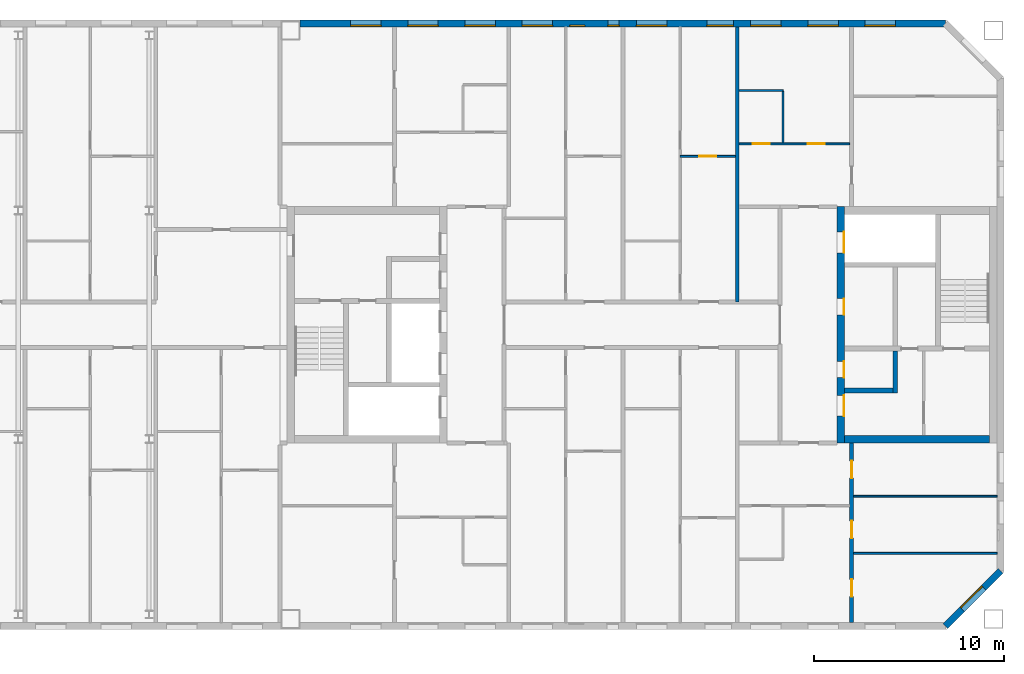
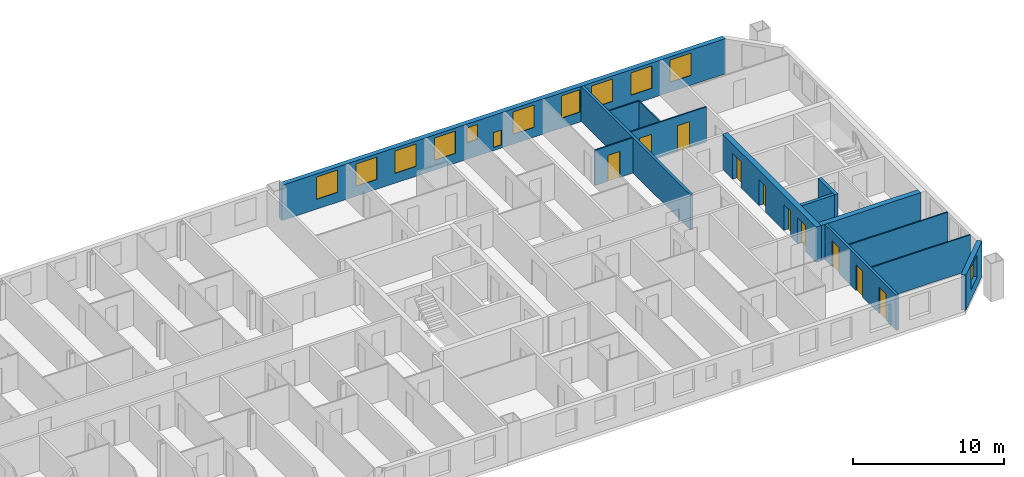
# One storey, part 16 of 19: 14 walls, 12 windows, 10 doors, 22 openings.
"""IFC4 building model written with IfcOpenShell, lengths in metres."""

from ifc_helpers import new_model, si_unit, direction, frame, frame_2d, origin, place, context, subcontext, project, spatial, rectangle, extrude, material, layer, layer_set, type_object, element, fill, save


model = new_model("IFC4")

# Units and contexts
model_context = context("Model", 3, precision=1e-05, world=origin(), true_north=direction((0.0, 1.0)))
body_context = subcontext(model_context, "Body", "Model", "MODEL_VIEW")
ifc_project = project(units=[si_unit("LENGTHUNIT", "METRE"), si_unit("AREAUNIT", "SQUARE_METRE"), si_unit("VOLUMEUNIT", "CUBIC_METRE"), si_unit("PLANEANGLEUNIT", "RADIAN"), si_unit("MASSUNIT", "GRAM", prefix="KILO")], contexts=[model_context])

# Site, building, storey
site_placement = place(None, origin())
site = spatial("IfcSite", under=ifc_project, at=site_placement, CompositionType="ELEMENT")
building_placement = place(site_placement, origin())
building = spatial("IfcBuilding", under=site, at=building_placement, Name="Tuart Gate Housing", CompositionType="ELEMENT")
storey_placement = place(building_placement, frame((0.0, 0.0, 230.699951171875)))
storey = spatial("IfcBuildingStorey", under=building, at=storey_placement, Name="L65", CompositionType="ELEMENT", Elevation=230.699951171875)

# Wall, opening, window
ifc_material_1 = material(Name="Brick", Category="masonry")
ifc_layer_1 = layer(ifc_material_1, 0.360107421875)
ifc_layer_set_1 = layer_set([ifc_layer_1], Name="Brick pier and spandrel wall 360")
wall_type_1 = type_object("IfcWallType", Name="Brick pier and spandrel wall 360", PredefinedType="STANDARD", material=ifc_layer_set_1)
wall_1_placement = place(storey_placement, frame((165.92529296875, 54.179931640625, 0.0), z_axis=(0.0, 0.0, 1.0), x_axis=(0.707106781187, 0.707106781187, 0.0)))
wall_1 = element("IfcWall", 1, at=wall_1_placement, inside=storey, type_object=wall_type_1, Name="External wall BLK-SE L65", PredefinedType="STANDARD", context=body_context, shape_type="SweptSolid", body=[
    extrude(rectangle(XDim=4.09375, YDim=0.360107421875, at=frame_2d((2.046875, 0.0))), origin(), (0.0, 0.0, 1.0), 2.85009765625),
])
opening_1_placement = place(wall_1_placement, frame((1.2470703125, 0.0, 0.800048828125)))
opening_1 = element("IfcOpeningElement", 2, at=opening_1_placement, cuts=wall_1, Name="Opening W1", PredefinedType="OPENING", context=body_context, shape_type="SweptSolid", body=[
    extrude(rectangle(XDim=1.60009765625, YDim=1.800048828125, at=frame_2d((0.800048828125, 0.89990234375))), frame((0.0, 0.18994140625, 0.0), z_axis=(0.0, -1.0, 0.0), x_axis=(1.0, 0.0, 0.0)), (0.0, 0.0, 1.0), 0.380126953125),
])
ifc_material_2 = material(Name="Aluminium frame with clear glass", Category="aluminium")
window_type_1 = type_object("IfcWindowType", Name="Punched window 1600 x 1800", PartitioningType="SINGLE_PANEL", PredefinedType="WINDOW", material=ifc_material_2)
window_1_placement = place(opening_1_placement, origin())
window_1 = element("IfcWindow", 3, at=window_1_placement, inside=storey, type_object=window_type_1, Name="Window W1", OverallHeight=1.800048828125, OverallWidth=1.60009765625, PartitioningType="SINGLE_PANEL", PredefinedType="WINDOW", context=body_context, shape_type="SweptSolid", body=[
    extrude(rectangle(XDim=1.60009765625, YDim=1.800048828125, at=frame_2d((0.800048828125, 0.89990234375))), frame((0.0, 0.150146484375, 0.0), z_axis=(0.0, -1.0, 0.0), x_axis=(1.0, 0.0, 0.0)), (0.0, 0.0, 1.0), 0.06005859375),
])
fill(opening_1, window_1)

# Wall, openings, windows
wall_2_placement = place(storey_placement, frame((165.92529296875, 85.820068359375, 0.0), z_axis=(0.0, 0.0, 1.0), x_axis=(-1.0, 0.0, 0.0)))
wall_2 = element("IfcWall", 4, at=wall_2_placement, inside=storey, type_object=wall_type_1, Name="External wall BLK-N L65", PredefinedType="STANDARD", context=body_context, shape_type="SweptSolid", body=[
    extrude(rectangle(XDim=33.875244140625, YDim=0.360107421875, at=frame_2d((16.9375, 0.0))), origin(), (0.0, 0.0, 1.0), 2.85009765625),
])
opening_2_placement = place(wall_2_placement, frame((2.62548828125, 0.0, 0.800048828125)))
opening_2 = element("IfcOpeningElement", 5, at=opening_2_placement, cuts=wall_2, Name="Opening W1", PredefinedType="OPENING", context=body_context, shape_type="SweptSolid", body=[
    extrude(rectangle(XDim=1.60009765625, YDim=1.800048828125, at=frame_2d((0.800048828125, 0.89990234375))), frame((0.0, 0.18994140625, 0.0), z_axis=(0.0, -1.0, 0.0), x_axis=(1.0, 0.0, 0.0)), (0.0, 0.0, 1.0), 0.380126953125),
])
opening_3_placement = place(wall_2_placement, frame((5.62548828125, 0.0, 0.800048828125)))
opening_3 = element("IfcOpeningElement", 6, at=opening_3_placement, cuts=wall_2, Name="Opening W1", PredefinedType="OPENING", context=body_context, shape_type="SweptSolid", body=[
    extrude(rectangle(XDim=1.60009765625, YDim=1.800048828125, at=frame_2d((0.800048828125, 0.89990234375))), frame((0.0, 0.18994140625, 0.0), z_axis=(0.0, -1.0, 0.0), x_axis=(1.0, 0.0, 0.0)), (0.0, 0.0, 1.0), 0.380126953125),
])
opening_4_placement = place(wall_2_placement, frame((8.62548828125, 0.0, 0.800048828125)))
opening_4 = element("IfcOpeningElement", 7, at=opening_4_placement, cuts=wall_2, Name="Opening W1", PredefinedType="OPENING", context=body_context, shape_type="SweptSolid", body=[
    extrude(rectangle(XDim=1.60009765625, YDim=1.800048828125, at=frame_2d((0.800048828125, 0.89990234375))), frame((0.0, 0.18994140625, 0.0), z_axis=(0.0, -1.0, 0.0), x_axis=(1.0, 0.0, 0.0)), (0.0, 0.0, 1.0), 0.380126953125),
])
opening_5_placement = place(wall_2_placement, frame((11.12548828125, 0.0, 0.800048828125)))
opening_5 = element("IfcOpeningElement", 8, at=opening_5_placement, cuts=wall_2, Name="Opening W1A", PredefinedType="OPENING", context=body_context, shape_type="SweptSolid", body=[
    extrude(rectangle(XDim=1.39990234375, YDim=1.800048828125, at=frame_2d((0.699951171875, 0.89990234375))), frame((0.0, 0.18994140625, 0.0), z_axis=(0.0, -1.0, 0.0), x_axis=(1.0, 0.0, 0.0)), (0.0, 0.0, 1.0), 0.380126953125),
])
opening_6_placement = place(wall_2_placement, frame((14.62548828125, 0.0, 0.800048828125)))
opening_6 = element("IfcOpeningElement", 9, at=opening_6_placement, cuts=wall_2, Name="Opening W1", PredefinedType="OPENING", context=body_context, shape_type="SweptSolid", body=[
    extrude(rectangle(XDim=1.60009765625, YDim=1.800048828125, at=frame_2d((0.800048828125, 0.89990234375))), frame((0.0, 0.18994140625, 0.0), z_axis=(0.0, -1.0, 0.0), x_axis=(1.0, 0.0, 0.0)), (0.0, 0.0, 1.0), 0.380126953125),
])
opening_7_placement = place(wall_2_placement, frame((17.12548828125, 0.0, 0.25)))
opening_7 = element("IfcOpeningElement", 10, at=opening_7_placement, cuts=wall_2, Name="Opening W1Q", PredefinedType="OPENING", context=body_context, shape_type="SweptSolid", body=[
    extrude(rectangle(XDim=0.60009765625, YDim=1.199951171875, at=frame_2d((0.300048828125, 0.60009765625))), frame((0.0, 0.18994140625, 0.0), z_axis=(0.0, -1.0, 0.0), x_axis=(1.0, 0.0, 0.0)), (0.0, 0.0, 1.0), 0.380126953125),
])
opening_8_placement = place(wall_2_placement, frame((20.62548828125, 0.0, 0.800048828125)))
opening_8 = element("IfcOpeningElement", 11, at=opening_8_placement, cuts=wall_2, Name="Opening W1", PredefinedType="OPENING", context=body_context, shape_type="SweptSolid", body=[
    extrude(rectangle(XDim=1.60009765625, YDim=1.800048828125, at=frame_2d((0.800048828125, 0.89990234375))), frame((0.0, 0.18994140625, 0.0), z_axis=(0.0, -1.0, 0.0), x_axis=(1.0, 0.0, 0.0)), (0.0, 0.0, 1.0), 0.380126953125),
])
opening_9_placement = place(wall_2_placement, frame((23.62548828125, 0.0, 0.800048828125)))
opening_9 = element("IfcOpeningElement", 12, at=opening_9_placement, cuts=wall_2, Name="Opening W1", PredefinedType="OPENING", context=body_context, shape_type="SweptSolid", body=[
    extrude(rectangle(XDim=1.60009765625, YDim=1.800048828125, at=frame_2d((0.800048828125, 0.89990234375))), frame((0.0, 0.18994140625, 0.0), z_axis=(0.0, -1.0, 0.0), x_axis=(1.0, 0.0, 0.0)), (0.0, 0.0, 1.0), 0.380126953125),
])
opening_10_placement = place(wall_2_placement, frame((26.62548828125, 0.0, 0.800048828125)))
opening_10 = element("IfcOpeningElement", 13, at=opening_10_placement, cuts=wall_2, Name="Opening W1", PredefinedType="OPENING", context=body_context, shape_type="SweptSolid", body=[
    extrude(rectangle(XDim=1.60009765625, YDim=1.800048828125, at=frame_2d((0.800048828125, 0.89990234375))), frame((0.0, 0.18994140625, 0.0), z_axis=(0.0, -1.0, 0.0), x_axis=(1.0, 0.0, 0.0)), (0.0, 0.0, 1.0), 0.380126953125),
])
opening_11_placement = place(wall_2_placement, frame((29.62548828125, 0.0, 0.800048828125)))
opening_11 = element("IfcOpeningElement", 14, at=opening_11_placement, cuts=wall_2, Name="Opening W1", PredefinedType="OPENING", context=body_context, shape_type="SweptSolid", body=[
    extrude(rectangle(XDim=1.60009765625, YDim=1.800048828125, at=frame_2d((0.800048828125, 0.89990234375))), frame((0.0, 0.18994140625, 0.0), z_axis=(0.0, -1.0, 0.0), x_axis=(1.0, 0.0, 0.0)), (0.0, 0.0, 1.0), 0.380126953125),
])
opening_12_placement = place(wall_2_placement, frame((18.92529296875, 0.0, 1.35009765625)))
opening_12 = element("IfcOpeningElement", 15, at=opening_12_placement, cuts=wall_2, Name="Opening W1P", PredefinedType="OPENING", context=body_context, shape_type="SweptSolid", body=[
    extrude(rectangle(XDim=0.800048828125, YDim=1.199951171875, at=frame_2d((0.39990234375, 0.60009765625))), frame((0.0, 0.18994140625, 0.0), z_axis=(0.0, -1.0, 0.0), x_axis=(1.0, 0.0, 0.0)), (0.0, 0.0, 1.0), 0.380126953125),
])
ifc_material_3 = material(Name="Aluminium frame with clear glass", Category="aluminium")
window_type_2 = type_object("IfcWindowType", Name="Punched window 1400 x 1800", PartitioningType="SINGLE_PANEL", PredefinedType="WINDOW", material=ifc_material_3)
window_2_placement = place(opening_5_placement, origin())
window_2 = element("IfcWindow", 16, at=window_2_placement, inside=storey, type_object=window_type_2, Name="Window W1A", OverallHeight=1.800048828125, OverallWidth=1.39990234375, PartitioningType="SINGLE_PANEL", PredefinedType="WINDOW", context=body_context, shape_type="SweptSolid", body=[
    extrude(rectangle(XDim=1.39990234375, YDim=1.800048828125, at=frame_2d((0.699951171875, 0.89990234375))), frame((0.0, 0.150146484375, 0.0), z_axis=(0.0, -1.0, 0.0), x_axis=(1.0, 0.0, 0.0)), (0.0, 0.0, 1.0), 0.06005859375),
])
fill(opening_5, window_2)
window_3_placement = place(opening_2_placement, origin())
window_3 = element("IfcWindow", 17, at=window_3_placement, inside=storey, type_object=window_type_1, Name="Window W1", OverallHeight=1.800048828125, OverallWidth=1.60009765625, PartitioningType="SINGLE_PANEL", PredefinedType="WINDOW", context=body_context, shape_type="SweptSolid", body=[
    extrude(rectangle(XDim=1.60009765625, YDim=1.800048828125, at=frame_2d((0.800048828125, 0.89990234375))), frame((0.0, 0.150146484375, 0.0), z_axis=(0.0, -1.0, 0.0), x_axis=(1.0, 0.0, 0.0)), (0.0, 0.0, 1.0), 0.06005859375),
])
fill(opening_2, window_3)
window_4_placement = place(opening_3_placement, origin())
window_4 = element("IfcWindow", 18, at=window_4_placement, inside=storey, type_object=window_type_1, Name="Window W1", OverallHeight=1.800048828125, OverallWidth=1.60009765625, PartitioningType="SINGLE_PANEL", PredefinedType="WINDOW", context=body_context, shape_type="SweptSolid", body=[
    extrude(rectangle(XDim=1.60009765625, YDim=1.800048828125, at=frame_2d((0.800048828125, 0.89990234375))), frame((0.0, 0.150146484375, 0.0), z_axis=(0.0, -1.0, 0.0), x_axis=(1.0, 0.0, 0.0)), (0.0, 0.0, 1.0), 0.06005859375),
])
fill(opening_3, window_4)
window_5_placement = place(opening_4_placement, origin())
window_5 = element("IfcWindow", 19, at=window_5_placement, inside=storey, type_object=window_type_1, Name="Window W1", OverallHeight=1.800048828125, OverallWidth=1.60009765625, PartitioningType="SINGLE_PANEL", PredefinedType="WINDOW", context=body_context, shape_type="SweptSolid", body=[
    extrude(rectangle(XDim=1.60009765625, YDim=1.800048828125, at=frame_2d((0.800048828125, 0.89990234375))), frame((0.0, 0.150146484375, 0.0), z_axis=(0.0, -1.0, 0.0), x_axis=(1.0, 0.0, 0.0)), (0.0, 0.0, 1.0), 0.06005859375),
])
fill(opening_4, window_5)
window_6_placement = place(opening_6_placement, origin())
window_6 = element("IfcWindow", 20, at=window_6_placement, inside=storey, type_object=window_type_1, Name="Window W1", OverallHeight=1.800048828125, OverallWidth=1.60009765625, PartitioningType="SINGLE_PANEL", PredefinedType="WINDOW", context=body_context, shape_type="SweptSolid", body=[
    extrude(rectangle(XDim=1.60009765625, YDim=1.800048828125, at=frame_2d((0.800048828125, 0.89990234375))), frame((0.0, 0.150146484375, 0.0), z_axis=(0.0, -1.0, 0.0), x_axis=(1.0, 0.0, 0.0)), (0.0, 0.0, 1.0), 0.06005859375),
])
fill(opening_6, window_6)
window_7_placement = place(opening_8_placement, origin())
window_7 = element("IfcWindow", 21, at=window_7_placement, inside=storey, type_object=window_type_1, Name="Window W1", OverallHeight=1.800048828125, OverallWidth=1.60009765625, PartitioningType="SINGLE_PANEL", PredefinedType="WINDOW", context=body_context, shape_type="SweptSolid", body=[
    extrude(rectangle(XDim=1.60009765625, YDim=1.800048828125, at=frame_2d((0.800048828125, 0.89990234375))), frame((0.0, 0.150146484375, 0.0), z_axis=(0.0, -1.0, 0.0), x_axis=(1.0, 0.0, 0.0)), (0.0, 0.0, 1.0), 0.06005859375),
])
fill(opening_8, window_7)
window_8_placement = place(opening_9_placement, origin())
window_8 = element("IfcWindow", 22, at=window_8_placement, inside=storey, type_object=window_type_1, Name="Window W1", OverallHeight=1.800048828125, OverallWidth=1.60009765625, PartitioningType="SINGLE_PANEL", PredefinedType="WINDOW", context=body_context, shape_type="SweptSolid", body=[
    extrude(rectangle(XDim=1.60009765625, YDim=1.800048828125, at=frame_2d((0.800048828125, 0.89990234375))), frame((0.0, 0.150146484375, 0.0), z_axis=(0.0, -1.0, 0.0), x_axis=(1.0, 0.0, 0.0)), (0.0, 0.0, 1.0), 0.06005859375),
])
fill(opening_9, window_8)
window_9_placement = place(opening_10_placement, origin())
window_9 = element("IfcWindow", 23, at=window_9_placement, inside=storey, type_object=window_type_1, Name="Window W1", OverallHeight=1.800048828125, OverallWidth=1.60009765625, PartitioningType="SINGLE_PANEL", PredefinedType="WINDOW", context=body_context, shape_type="SweptSolid", body=[
    extrude(rectangle(XDim=1.60009765625, YDim=1.800048828125, at=frame_2d((0.800048828125, 0.89990234375))), frame((0.0, 0.150146484375, 0.0), z_axis=(0.0, -1.0, 0.0), x_axis=(1.0, 0.0, 0.0)), (0.0, 0.0, 1.0), 0.06005859375),
])
fill(opening_10, window_9)
window_10_placement = place(opening_11_placement, origin())
window_10 = element("IfcWindow", 24, at=window_10_placement, inside=storey, type_object=window_type_1, Name="Window W1", OverallHeight=1.800048828125, OverallWidth=1.60009765625, PartitioningType="SINGLE_PANEL", PredefinedType="WINDOW", context=body_context, shape_type="SweptSolid", body=[
    extrude(rectangle(XDim=1.60009765625, YDim=1.800048828125, at=frame_2d((0.800048828125, 0.89990234375))), frame((0.0, 0.150146484375, 0.0), z_axis=(0.0, -1.0, 0.0), x_axis=(1.0, 0.0, 0.0)), (0.0, 0.0, 1.0), 0.06005859375),
])
fill(opening_11, window_10)
ifc_material_4 = material(Name="Aluminium frame with clear glass", Category="aluminium")
window_type_3 = type_object("IfcWindowType", Name="Punched window 600 x 1200", PartitioningType="SINGLE_PANEL", PredefinedType="WINDOW", material=ifc_material_4)
window_11_placement = place(opening_7_placement, origin())
window_11 = element("IfcWindow", 25, at=window_11_placement, inside=storey, type_object=window_type_3, Name="Window W1Q", OverallHeight=1.199951171875, OverallWidth=0.60009765625, PartitioningType="SINGLE_PANEL", PredefinedType="WINDOW", context=body_context, shape_type="SweptSolid", body=[
    extrude(rectangle(XDim=0.60009765625, YDim=1.199951171875, at=frame_2d((0.300048828125, 0.60009765625))), frame((0.0, 0.150146484375, 0.0), z_axis=(0.0, -1.0, 0.0), x_axis=(1.0, 0.0, 0.0)), (0.0, 0.0, 1.0), 0.06005859375),
])
fill(opening_7, window_11)
ifc_material_5 = material(Name="Aluminium frame with clear glass", Category="aluminium")
window_type_4 = type_object("IfcWindowType", Name="Punched window 800 x 1200", PartitioningType="SINGLE_PANEL", PredefinedType="WINDOW", material=ifc_material_5)
window_12_placement = place(opening_12_placement, origin())
window_12 = element("IfcWindow", 26, at=window_12_placement, inside=storey, type_object=window_type_4, Name="Window W1P", OverallHeight=1.199951171875, OverallWidth=0.800048828125, PartitioningType="SINGLE_PANEL", PredefinedType="WINDOW", context=body_context, shape_type="SweptSolid", body=[
    extrude(rectangle(XDim=0.800048828125, YDim=1.199951171875, at=frame_2d((0.39990234375, 0.60009765625))), frame((0.0, 0.150146484375, 0.0), z_axis=(0.0, -1.0, 0.0), x_axis=(1.0, 0.0, 0.0)), (0.0, 0.0, 1.0), 0.06005859375),
])
fill(opening_12, window_12)

# Walls
ifc_material_6 = material(Name="Concrete C40", Category="concrete")
ifc_layer_2 = layer(ifc_material_6, 0.25)
ifc_layer_set_2 = layer_set([ifc_layer_2], Name="Core wall 250 C40")
wall_type_2 = type_object("IfcWallType", Name="Core wall 250 C40", PredefinedType="SHEAR", material=ifc_layer_set_2)
wall_3_placement = place(storey_placement, frame((160.639892578125, 66.550048828125, 0.0), z_axis=(0.0, 0.0, 1.0), x_axis=(1.0, 0.0, 0.0)))
element("IfcWall", 27, at=wall_3_placement, inside=storey, type_object=wall_type_2, Name="Core wall BK.3", PredefinedType="SHEAR", context=body_context, shape_type="SweptSolid", body=[
    extrude(rectangle(XDim=2.525146484375, YDim=0.25, at=frame_2d((1.2626953125, 0.0))), origin(), (0.0, 0.0, 1.0), 2.85009765625),
])
wall_4_placement = place(storey_placement, frame((163.2900390625, 68.625, 0.0), z_axis=(0.0, 0.0, 1.0), x_axis=(0.0, -1.0, 0.0)))
element("IfcWall", 28, at=wall_4_placement, inside=storey, type_object=wall_type_2, Name="Core wall BK.5", PredefinedType="SHEAR", context=body_context, shape_type="SweptSolid", body=[
    extrude(rectangle(XDim=2.199951171875, YDim=0.25, at=frame_2d((1.10009765625, 0.0))), origin(), (0.0, 0.0, 1.0), 2.85009765625),
])

# Wall, openings, doors
ifc_material_7 = material(Name="Concrete C40", Category="concrete")
ifc_layer_3 = layer(ifc_material_7, 0.39990234375)
ifc_layer_set_3 = layer_set([ifc_layer_3], Name="Core wall 400 C40")
wall_type_3 = type_object("IfcWallType", Name="Core wall 400 C40", PredefinedType="SHEAR", material=ifc_layer_set_3)
wall_5_placement = place(storey_placement, frame((160.43994140625, 76.199951171875, 0.0), z_axis=(0.0, 0.0, 1.0), x_axis=(0.0, -1.0, 0.0)))
wall_5 = element("IfcWall", 29, at=wall_5_placement, inside=storey, type_object=wall_type_3, Name="Core wall BK front", PredefinedType="SHEAR", context=body_context, shape_type="SweptSolid", body=[
    extrude(rectangle(XDim=12.39990234375, YDim=0.39990234375, at=frame_2d((6.199951171875, 0.0))), origin(), (0.0, 0.0, 1.0), 2.85009765625),
])
opening_13_placement = place(wall_5_placement, frame((1.324951171875, 0.0, 0.0)))
opening_13 = element("IfcOpeningElement", 30, at=opening_13_placement, cuts=wall_5, Name="Opening LD-FB2", PredefinedType="OPENING", context=body_context, shape_type="SweptSolid", body=[
    extrude(rectangle(XDim=1.10009765625, YDim=2.10009765625, at=frame_2d((0.550048828125, 1.050048828125))), frame((0.0, 0.2099609375, 0.0), z_axis=(0.0, -1.0, 0.0), x_axis=(1.0, 0.0, 0.0)), (0.0, 0.0, 1.0), 0.419921875),
])
opening_14_placement = place(wall_5_placement, frame((4.824951171875, 0.0, 0.0)))
opening_14 = element("IfcOpeningElement", 31, at=opening_14_placement, cuts=wall_5, Name="Opening D2583", PredefinedType="OPENING", context=body_context, shape_type="SweptSolid", body=[
    extrude(rectangle(XDim=0.85009765625, YDim=2.10009765625, at=frame_2d((0.425048828125, 1.050048828125))), frame((0.0, 0.2099609375, 0.0), z_axis=(0.0, -1.0, 0.0), x_axis=(1.0, 0.0, 0.0)), (0.0, 0.0, 1.0), 0.419921875),
])
opening_15_placement = place(wall_5_placement, frame((9.89990234375, 0.0, 0.0)))
opening_15 = element("IfcOpeningElement", 32, at=opening_15_placement, cuts=wall_5, Name="Opening D2582", PredefinedType="OPENING", context=body_context, shape_type="SweptSolid", body=[
    extrude(rectangle(XDim=1.10009765625, YDim=2.10009765625, at=frame_2d((0.550048828125, 1.050048828125))), frame((0.0, 0.2099609375, 0.0), z_axis=(0.0, -1.0, 0.0), x_axis=(1.0, 0.0, 0.0)), (0.0, 0.0, 1.0), 0.419921875),
])
opening_16_placement = place(wall_5_placement, frame((8.125, 0.0, 0.0)))
opening_16 = element("IfcOpeningElement", 33, at=opening_16_placement, cuts=wall_5, Name="Opening D2584", PredefinedType="OPENING", context=body_context, shape_type="SweptSolid", body=[
    extrude(rectangle(XDim=0.85009765625, YDim=2.10009765625, at=frame_2d((0.425048828125, 1.050048828125))), frame((0.0, 0.2099609375, 0.0), z_axis=(0.0, -1.0, 0.0), x_axis=(1.0, 0.0, 0.0)), (0.0, 0.0, 1.0), 0.419921875),
])
ifc_material_8 = material(Name="Stainless steel", Category="steel")
door_type_1 = type_object("IfcDoorType", Name="Landing door 1100 x 2100", OperationType="DOUBLE_DOOR_SLIDING", PredefinedType="DOOR", material=ifc_material_8)
door_1_placement = place(opening_13_placement, origin())
door_1 = element("IfcDoor", 34, at=door_1_placement, inside=storey, type_object=door_type_1, Name="Lift landing door FB2", OperationType="DOUBLE_DOOR_SLIDING", OverallHeight=2.10009765625, OverallWidth=1.10009765625, PredefinedType="DOOR", context=body_context, shape_type="SweptSolid", body=[
    extrude(rectangle(XDim=1.10009765625, YDim=2.10009765625, at=frame_2d((0.550048828125, 1.050048828125))), frame((0.0, 0.18505859375, 0.0), z_axis=(0.0, -1.0, 0.0), x_axis=(1.0, 0.0, 0.0)), (0.0, 0.0, 1.0), 0.050048828125),
])
fill(opening_13, door_1)
ifc_material_9 = material(Name="Steel fire door", Category="steel")
door_type_2 = type_object("IfcDoorType", Name="Lobby door 1100 x 2100", OperationType="SINGLE_SWING_LEFT", PredefinedType="DOOR", material=ifc_material_9)
door_2_placement = place(opening_15_placement, origin())
door_2 = element("IfcDoor", 35, at=door_2_placement, inside=storey, type_object=door_type_2, Name="Lobby entry door BK.EN", OperationType="SINGLE_SWING_LEFT", OverallHeight=2.10009765625, OverallWidth=1.10009765625, PredefinedType="DOOR", context=body_context, shape_type="SweptSolid", body=[
    extrude(rectangle(XDim=1.10009765625, YDim=2.10009765625, at=frame_2d((0.550048828125, 1.050048828125))), frame((0.0, 0.18505859375, 0.0), z_axis=(0.0, -1.0, 0.0), x_axis=(1.0, 0.0, 0.0)), (0.0, 0.0, 1.0), 0.050048828125),
])
fill(opening_15, door_2)
ifc_material_10 = material(Name="Steel fire door", Category="steel")
door_type_3 = type_object("IfcDoorType", Name="Service door 850 x 2100", OperationType="SINGLE_SWING_LEFT", PredefinedType="DOOR", material=ifc_material_10)
door_3_placement = place(opening_14_placement, origin())
door_3 = element("IfcDoor", 36, at=door_3_placement, inside=storey, type_object=door_type_3, Name="Service room door BK.FR1", OperationType="SINGLE_SWING_LEFT", OverallHeight=2.10009765625, OverallWidth=0.85009765625, PredefinedType="DOOR", context=body_context, shape_type="SweptSolid", body=[
    extrude(rectangle(XDim=0.85009765625, YDim=2.10009765625, at=frame_2d((0.425048828125, 1.050048828125))), frame((0.0, 0.18505859375, 0.0), z_axis=(0.0, -1.0, 0.0), x_axis=(1.0, 0.0, 0.0)), (0.0, 0.0, 1.0), 0.050048828125),
])
fill(opening_14, door_3)
door_4_placement = place(opening_16_placement, origin())
door_4 = element("IfcDoor", 37, at=door_4_placement, inside=storey, type_object=door_type_3, Name="Service room door BK.T1", OperationType="SINGLE_SWING_LEFT", OverallHeight=2.10009765625, OverallWidth=0.85009765625, PredefinedType="DOOR", context=body_context, shape_type="SweptSolid", body=[
    extrude(rectangle(XDim=0.85009765625, YDim=2.10009765625, at=frame_2d((0.425048828125, 1.050048828125))), frame((0.0, 0.18505859375, 0.0), z_axis=(0.0, -1.0, 0.0), x_axis=(1.0, 0.0, 0.0)), (0.0, 0.0, 1.0), 0.050048828125),
])
fill(opening_16, door_4)

# Walls
wall_6_placement = place(storey_placement, frame((160.639892578125, 64.0, 0.0), z_axis=(0.0, 0.0, 1.0), x_axis=(1.0, 0.0, 0.0)))
element("IfcWall", 38, at=wall_6_placement, inside=storey, type_object=wall_type_3, Name="Core wall BK north", PredefinedType="SHEAR", context=body_context, shape_type="SweptSolid", body=[
    extrude(rectangle(XDim=7.60009765625, YDim=0.39990234375, at=frame_2d((3.800048828125, 0.0))), origin(), (0.0, 0.0, 1.0), 2.85009765625),
])
ifc_material_11 = material(Name="Gypsum board on steel studs", Category="steel")
ifc_layer_4 = layer(ifc_material_11, 0.10009765625)
ifc_layer_set_4 = layer_set([ifc_layer_4], Name="Partition 100")
wall_type_4 = type_object("IfcWallType", Name="Partition 100", PredefinedType="PARTITIONING", material=ifc_layer_set_4)
for number, where, z_axis, x_axis, name in (
    (39, (161.10009765625, 58.0, 0.0), (0.0, 0.0, 1.0), (1.0, 0.0, 0.0), "Partition 100"),
    (40, (161.10009765625, 61.0, 0.0), (0.0, 0.0, 1.0), (1.0, 0.0, 0.0), "Partition 100"),
):
    element("IfcWall", number, at=place(storey_placement, frame(where, z_axis=z_axis, x_axis=x_axis)), inside=storey, type_object=wall_type_4, Name=name, PredefinedType="PARTITIONING", context=body_context, shape_type="SweptSolid", body=[
        extrude(rectangle(XDim=7.539794921875, YDim=0.10009765625, at=frame_2d((3.77001953125, 0.0))), origin(), (0.0, 0.0, 1.0), 2.85009765625),
    ])

# Wall, opening, door
wall_7_placement = place(storey_placement, frame((152.0, 78.840087890625, 0.0), z_axis=(0.0, 0.0, 1.0), x_axis=(1.0, 0.0, 0.0)))
wall_7 = element("IfcWall", 41, at=wall_7_placement, inside=storey, type_object=wall_type_4, Name="Partition 100", PredefinedType="PARTITIONING", context=body_context, shape_type="SweptSolid", body=[
    extrude(rectangle(XDim=2.89990234375, YDim=0.10009765625, at=frame_2d((1.449951171875, 0.0))), origin(), (0.0, 0.0, 1.0), 2.85009765625),
])
opening_17_placement = place(wall_7_placement, frame((1.0, 0.0, 0.0)))
opening_17 = element("IfcOpeningElement", 42, at=opening_17_placement, cuts=wall_7, Name="Opening D2566", PredefinedType="OPENING", context=body_context, shape_type="SweptSolid", body=[
    extrude(rectangle(XDim=0.89990234375, YDim=2.10009765625, at=frame_2d((0.449951171875, 1.050048828125))), frame((0.0, 0.06005859375, 0.0), z_axis=(0.0, -1.0, 0.0), x_axis=(1.0, 0.0, 0.0)), (0.0, 0.0, 1.0), 0.1201171875),
])
ifc_material_12 = material(Name="Timber door leaf in steel frame", Category="steel")
door_type_4 = type_object("IfcDoorType", Name="Internal door 900 RH", OperationType="SINGLE_SWING_RIGHT", PredefinedType="DOOR", material=ifc_material_12)
door_5_placement = place(opening_17_placement, frame((0.89990234375, 0.0, 0.0), z_axis=(0.0, 0.0, 1.0), x_axis=(-1.0, 0.0, 0.0)))
door_5 = element("IfcDoor", 43, at=door_5_placement, inside=storey, type_object=door_type_4, Name="Internal door", OperationType="SINGLE_SWING_RIGHT", OverallHeight=2.10009765625, OverallWidth=0.89990234375, PredefinedType="DOOR", context=body_context, shape_type="SweptSolid", body=[
    extrude(rectangle(XDim=0.89990234375, YDim=2.10009765625, at=frame_2d((0.449951171875, 1.050048828125))), frame((0.0, 0.025146484375, 0.0), z_axis=(0.0, -1.0, 0.0), x_axis=(1.0, 0.0, 0.0)), (0.0, 0.0, 1.0), 0.050048828125),
])
fill(opening_17, door_5)

# Wall, openings, doors
wall_8_placement = place(storey_placement, frame((155.10009765625, 79.5, 0.0), z_axis=(0.0, 0.0, 1.0), x_axis=(1.0, 0.0, 0.0)))
wall_8 = element("IfcWall", 44, at=wall_8_placement, inside=storey, type_object=wall_type_4, Name="Partition 100", PredefinedType="PARTITIONING", context=body_context, shape_type="SweptSolid", body=[
    extrude(rectangle(XDim=5.7998046875, YDim=0.10009765625, at=frame_2d((2.89990234375, 0.0))), origin(), (0.0, 0.0, 1.0), 2.85009765625),
])
opening_18_placement = place(wall_8_placement, frame((3.60009765625, 0.0, 0.0)))
opening_18 = element("IfcOpeningElement", 45, at=opening_18_placement, cuts=wall_8, Name="Opening D2564", PredefinedType="OPENING", context=body_context, shape_type="SweptSolid", body=[
    extrude(rectangle(XDim=0.89990234375, YDim=2.10009765625, at=frame_2d((0.449951171875, 1.050048828125))), frame((0.0, 0.06005859375, 0.0), z_axis=(0.0, -1.0, 0.0), x_axis=(1.0, 0.0, 0.0)), (0.0, 0.0, 1.0), 0.1201171875),
])
opening_19_placement = place(wall_8_placement, frame((0.699951171875, 0.0, 0.0)))
opening_19 = element("IfcOpeningElement", 46, at=opening_19_placement, cuts=wall_8, Name="Opening D2563", PredefinedType="OPENING", context=body_context, shape_type="SweptSolid", body=[
    extrude(rectangle(XDim=0.89990234375, YDim=2.10009765625, at=frame_2d((0.449951171875, 1.050048828125))), frame((0.0, 0.06005859375, 0.0), z_axis=(0.0, -1.0, 0.0), x_axis=(1.0, 0.0, 0.0)), (0.0, 0.0, 1.0), 0.1201171875),
])
ifc_material_13 = material(Name="Timber door leaf in steel frame", Category="steel")
door_type_5 = type_object("IfcDoorType", Name="Bathroom door 900 RH", OperationType="SINGLE_SWING_RIGHT", PredefinedType="DOOR", material=ifc_material_13)
door_6_placement = place(opening_19_placement, origin())
door_6 = element("IfcDoor", 47, at=door_6_placement, inside=storey, type_object=door_type_5, Name="Bathroom door", OperationType="SINGLE_SWING_RIGHT", OverallHeight=2.10009765625, OverallWidth=0.89990234375, PredefinedType="DOOR", context=body_context, shape_type="SweptSolid", body=[
    extrude(rectangle(XDim=0.89990234375, YDim=2.10009765625, at=frame_2d((0.449951171875, 1.050048828125))), frame((0.0, 0.02490234375, 0.0), z_axis=(0.0, -1.0, 0.0), x_axis=(1.0, 0.0, 0.0)), (0.0, 0.0, 1.0), 0.050048828125),
])
fill(opening_19, door_6)
ifc_material_14 = material(Name="Timber door leaf in steel frame", Category="steel")
door_type_6 = type_object("IfcDoorType", Name="Internal door 900", OperationType="SINGLE_SWING_LEFT", PredefinedType="DOOR", material=ifc_material_14)
door_7_placement = place(opening_18_placement, origin())
door_7 = element("IfcDoor", 48, at=door_7_placement, inside=storey, type_object=door_type_6, Name="Internal door", OperationType="SINGLE_SWING_LEFT", OverallHeight=2.10009765625, OverallWidth=0.89990234375, PredefinedType="DOOR", context=body_context, shape_type="SweptSolid", body=[
    extrude(rectangle(XDim=0.89990234375, YDim=2.10009765625, at=frame_2d((0.449951171875, 1.050048828125))), frame((0.0, 0.02490234375, 0.0), z_axis=(0.0, -1.0, 0.0), x_axis=(1.0, 0.0, 0.0)), (0.0, 0.0, 1.0), 0.050048828125),
])
fill(opening_18, door_7)

# Walls
wall_9_placement = place(storey_placement, frame((155.10009765625, 82.300048828125, 0.0), z_axis=(0.0, 0.0, 1.0), x_axis=(1.0, 0.0, 0.0)))
element("IfcWall", 49, at=wall_9_placement, inside=storey, type_object=wall_type_4, Name="Partition 100", PredefinedType="PARTITIONING", context=body_context, shape_type="SweptSolid", body=[
    extrude(rectangle(XDim=2.2998046875, YDim=0.10009765625, at=frame_2d((1.14990234375, 0.0))), origin(), (0.0, 0.0, 1.0), 2.85009765625),
])
wall_10_placement = place(storey_placement, frame((157.39990234375, 79.550048828125, 0.0), z_axis=(0.0, 0.0, 1.0), x_axis=(0.0, 1.0, 0.0)))
element("IfcWall", 50, at=wall_10_placement, inside=storey, type_object=wall_type_4, Name="Partition 100", PredefinedType="PARTITIONING", context=body_context, shape_type="SweptSolid", body=[
    extrude(rectangle(XDim=2.699951171875, YDim=0.10009765625, at=frame_2d((1.35009765625, 0.0))), origin(), (0.0, 0.0, 1.0), 2.85009765625),
])
ifc_material_15 = material(Name="Concrete C40", Category="concrete")
ifc_layer_5 = layer(ifc_material_15, 0.199951171875)
ifc_layer_set_5 = layer_set([ifc_layer_5], Name="Party wall concrete C40 200")
wall_type_5 = type_object("IfcWallType", Name="Party wall concrete C40 200", PredefinedType="SOLIDWALL", material=ifc_layer_set_5)
wall_11_placement = place(storey_placement, frame((155.0, 71.199951171875, 0.0), z_axis=(0.0, 0.0, 1.0), x_axis=(0.0, 1.0, 0.0)))
element("IfcWall", 51, at=wall_11_placement, inside=storey, type_object=wall_type_5, Name="Party wall concrete C40 200", PredefinedType="SOLIDWALL", context=body_context, shape_type="SweptSolid", body=[
    extrude(rectangle(XDim=14.43994140625, YDim=0.199951171875, at=frame_2d((7.219970703125, 0.0))), origin(), (0.0, 0.0, 1.0), 2.85009765625),
])

# Wall, openings, doors
wall_12_placement = place(storey_placement, frame((161.0, 54.360107421875, 0.0), z_axis=(0.0, 0.0, 1.0), x_axis=(0.0, 1.0, 0.0)))
wall_12 = element("IfcWall", 52, at=wall_12_placement, inside=storey, type_object=wall_type_5, Name="Party wall concrete C40 200", PredefinedType="SOLIDWALL", context=body_context, shape_type="SweptSolid", body=[
    extrude(rectangle(XDim=9.43994140625, YDim=0.199951171875, at=frame_2d((4.719970703125, 0.0))), origin(), (0.0, 0.0, 1.0), 2.85009765625),
])
opening_20_placement = place(wall_12_placement, frame((1.3701171875, 0.0, 0.0)))
opening_20 = element("IfcOpeningElement", 53, at=opening_20_placement, cuts=wall_12, Name="Opening D2604", PredefinedType="OPENING", context=body_context, shape_type="SweptSolid", body=[
    extrude(rectangle(XDim=0.89990234375, YDim=2.10009765625, at=frame_2d((0.449951171875, 1.050048828125))), frame((0.0, 0.10986328125, 0.0), z_axis=(0.0, -1.0, 0.0), x_axis=(1.0, 0.0, 0.0)), (0.0, 0.0, 1.0), 0.219970703125),
])
opening_21_placement = place(wall_12_placement, frame((4.43994140625, 0.0, 0.0)))
opening_21 = element("IfcOpeningElement", 54, at=opening_21_placement, cuts=wall_12, Name="Opening D2605", PredefinedType="OPENING", context=body_context, shape_type="SweptSolid", body=[
    extrude(rectangle(XDim=0.89990234375, YDim=2.10009765625, at=frame_2d((0.449951171875, 1.050048828125))), frame((0.0, 0.10986328125, 0.0), z_axis=(0.0, -1.0, 0.0), x_axis=(1.0, 0.0, 0.0)), (0.0, 0.0, 1.0), 0.219970703125),
])
opening_22_placement = place(wall_12_placement, frame((7.590087890625, 0.0, 0.0)))
opening_22 = element("IfcOpeningElement", 55, at=opening_22_placement, cuts=wall_12, Name="Opening D2606", PredefinedType="OPENING", context=body_context, shape_type="SweptSolid", body=[
    extrude(rectangle(XDim=0.89990234375, YDim=2.10009765625, at=frame_2d((0.449951171875, 1.050048828125))), frame((0.0, 0.10986328125, 0.0), z_axis=(0.0, -1.0, 0.0), x_axis=(1.0, 0.0, 0.0)), (0.0, 0.0, 1.0), 0.219970703125),
])
door_8_placement = place(opening_20_placement, frame((0.89990234375, 0.0, 0.0), z_axis=(0.0, 0.0, 1.0), x_axis=(-1.0, 0.0, 0.0)))
door_8 = element("IfcDoor", 56, at=door_8_placement, inside=storey, type_object=door_type_4, Name="Internal door", OperationType="SINGLE_SWING_RIGHT", OverallHeight=2.10009765625, OverallWidth=0.89990234375, PredefinedType="DOOR", context=body_context, shape_type="SweptSolid", body=[
    extrude(rectangle(XDim=0.89990234375, YDim=2.10009765625, at=frame_2d((0.449951171875, 1.050048828125))), frame((0.0, 0.025146484375, 0.0), z_axis=(0.0, -1.0, 0.0), x_axis=(1.0, 0.0, 0.0)), (0.0, 0.0, 1.0), 0.050048828125),
])
fill(opening_20, door_8)
door_9_placement = place(opening_21_placement, frame((0.89990234375, 0.0, 0.0), z_axis=(0.0, 0.0, 1.0), x_axis=(-1.0, 0.0, 0.0)))
door_9 = element("IfcDoor", 57, at=door_9_placement, inside=storey, type_object=door_type_4, Name="Internal door", OperationType="SINGLE_SWING_RIGHT", OverallHeight=2.10009765625, OverallWidth=0.89990234375, PredefinedType="DOOR", context=body_context, shape_type="SweptSolid", body=[
    extrude(rectangle(XDim=0.89990234375, YDim=2.10009765625, at=frame_2d((0.449951171875, 1.050048828125))), frame((0.0, 0.025146484375, 0.0), z_axis=(0.0, -1.0, 0.0), x_axis=(1.0, 0.0, 0.0)), (0.0, 0.0, 1.0), 0.050048828125),
])
fill(opening_21, door_9)
door_10_placement = place(opening_22_placement, frame((0.89990234375, 0.0, 0.0), z_axis=(0.0, 0.0, 1.0), x_axis=(-1.0, 0.0, 0.0)))
door_10 = element("IfcDoor", 58, at=door_10_placement, inside=storey, type_object=door_type_4, Name="Internal door", OperationType="SINGLE_SWING_RIGHT", OverallHeight=2.10009765625, OverallWidth=0.89990234375, PredefinedType="DOOR", context=body_context, shape_type="SweptSolid", body=[
    extrude(rectangle(XDim=0.89990234375, YDim=2.10009765625, at=frame_2d((0.449951171875, 1.050048828125))), frame((0.0, 0.025146484375, 0.0), z_axis=(0.0, -1.0, 0.0), x_axis=(1.0, 0.0, 0.0)), (0.0, 0.0, 1.0), 0.050048828125),
])
fill(opening_22, door_10)

save(model, "model.ifc")
